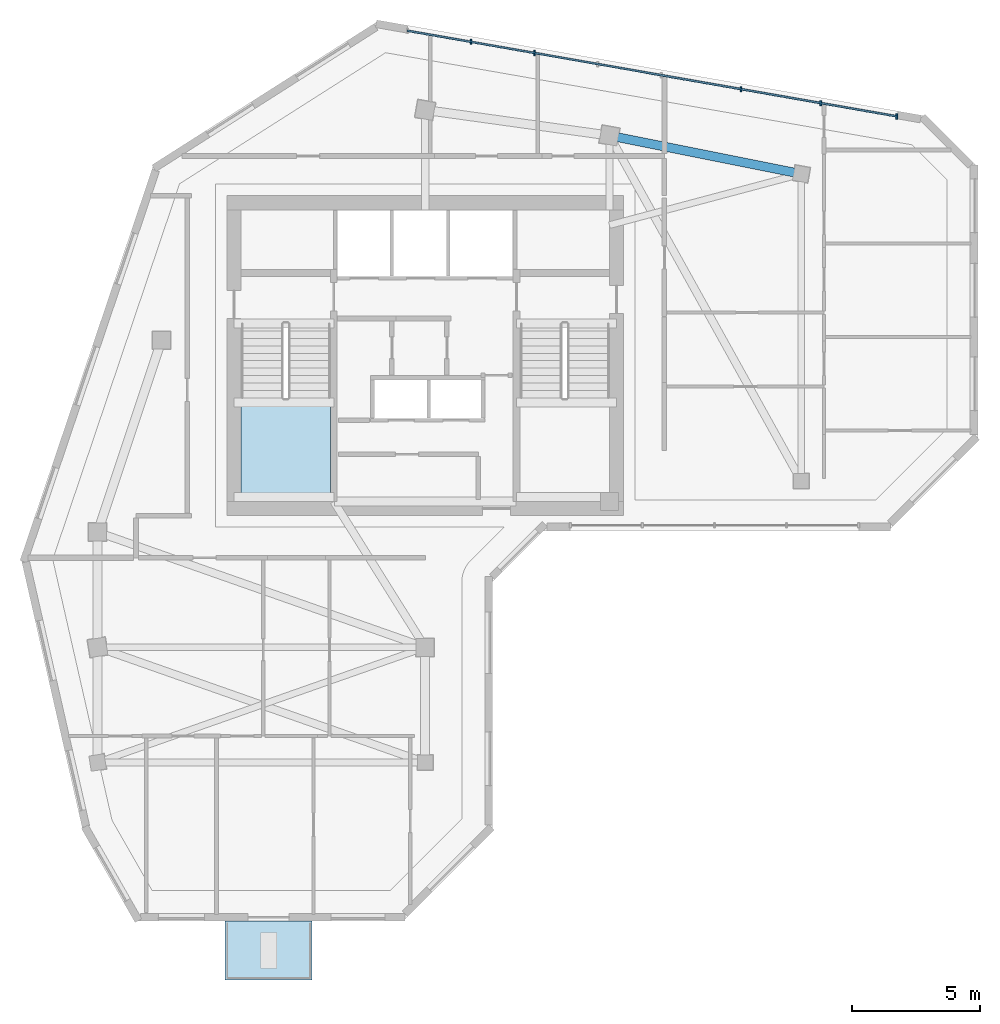
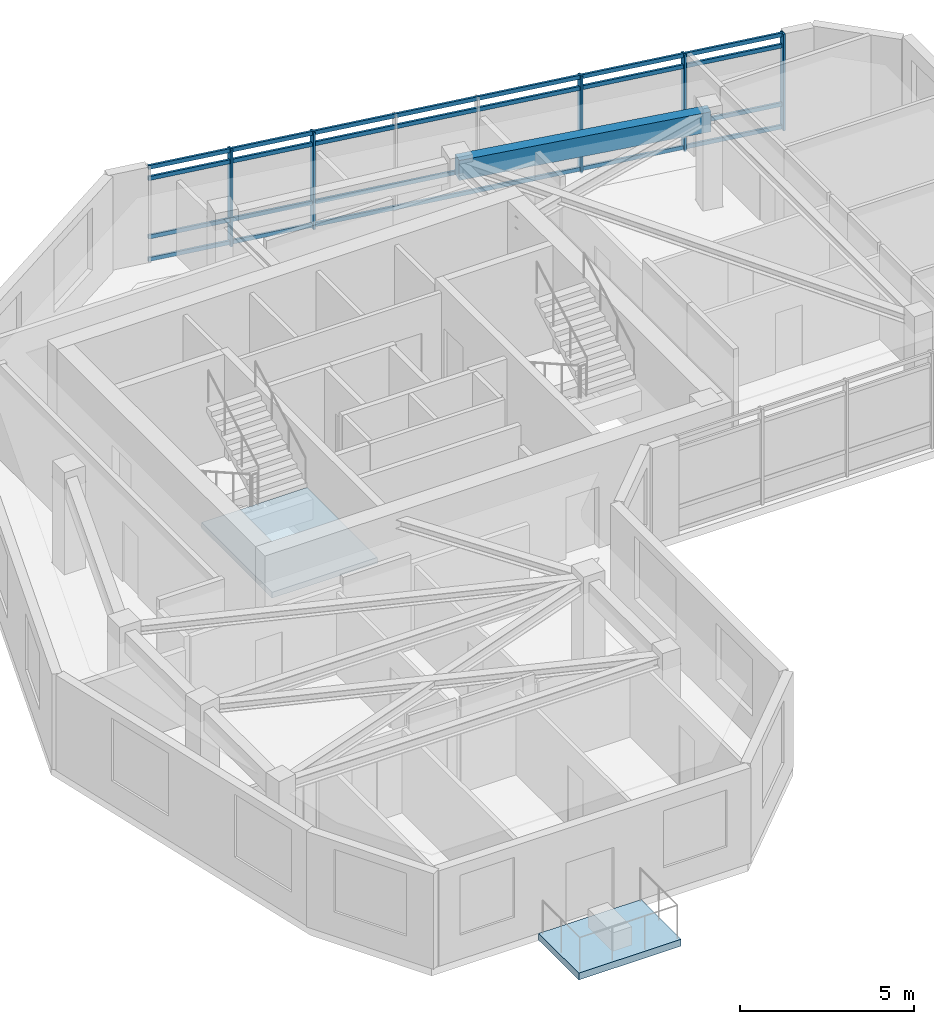
# One storey, part 2 of 10: 9 members, 2 slabs, 1 beam, 2 elements without a shape of their own.
"""IFC4 building model written with IfcOpenShell, lengths in metres."""

from ifc_helpers import new_model, si_unit, direction, frame, origin, origin_2d, place, context, subcontext, project, spatial, polyline, rectangle, outline, extrude, source, transform, mapped, material, layer, layer_set, material_profile, profile_set, type_object, element, aggregate, save


model = new_model("IFC4")

# Units and contexts
model_context = context("Model", 3, precision=1e-05, world=origin(), true_north=direction((0.0, 1.0)))
body_context = subcontext(model_context, "Body", "Model", "MODEL_VIEW")
ifc_project = project(units=[si_unit("LENGTHUNIT", "METRE"), si_unit("AREAUNIT", "SQUARE_METRE"), si_unit("VOLUMEUNIT", "CUBIC_METRE"), si_unit("PLANEANGLEUNIT", "RADIAN"), si_unit("MASSUNIT", "GRAM", prefix="KILO")], contexts=[model_context])

# Site, building, storey
site_placement = place(None, origin())
site = spatial("IfcSite", under=ifc_project, at=site_placement, CompositionType="ELEMENT")
building_placement = place(site_placement, origin())
building = spatial("IfcBuilding", under=site, at=building_placement, Name="Calvemar Wedge Station Tower", CompositionType="ELEMENT")
storey_placement = place(building_placement, frame((0.0, 0.0, 256.5)))
storey = spatial("IfcBuildingStorey", under=building, at=storey_placement, Name="L65", CompositionType="ELEMENT", Elevation=256.5)

# Beam
ifc_material_1 = material(Name="Concrete C50", Category="concrete")
ifc_material_profile_1 = material_profile(ifc_material_1, rectangle(XDim=0.35009765625, YDim=0.699951171875, at=origin_2d()), Name="RC350x700")
ifc_profile_set_1 = profile_set([ifc_material_profile_1], Name="Concrete C50")
beam_type = type_object("IfcBeamType", Name="BM-SP2-700", PredefinedType="SPANDREL", material=ifc_profile_set_1)
shared_shape_1 = source(origin(), body_context, "Body", "SweptSolid", [
    extrude(rectangle(XDim=0.35009765625, YDim=0.699951171875, at=origin_2d()), origin(), (0.0, 0.0, 1.0), 7.6484375),
])
beam_placement = place(storey_placement, frame((31.0, 48.5, 3.0), z_axis=(0.980580675691, -0.196116135138, 0.0), x_axis=(0.196116135138, 0.980580675691, 0.0)))
element("IfcBeam", 1, at=beam_placement, inside=storey, type_object=beam_type, Name="Storey L65 Spandrel T-N2-T-NU3", PredefinedType="SPANDREL", context=body_context, shape_type="MappedRepresentation", body=[
    mapped(shared_shape_1, transform((0.0, 0.0, 0.0), scale=1.0)),
])

# Curtain wall, members
ifc_material_2 = material(Name="Anodised aluminium 6063-T6", Category="aluminium")
curtain_wall_type = type_object("IfcCurtainWallType", Name="CW4", PredefinedType="NOTDEFINED", material=ifc_material_2)
curtain_wall_placement = place(storey_placement, origin())
curtain_wall = element("IfcCurtainWall", 2, at=curtain_wall_placement, inside=storey, type_object=curtain_wall_type, Name="Storey L65 CW4 Recessed Unitised Curtain Wall 10", PredefinedType="NOTDEFINED")
ifc_material_profile_2 = material_profile(ifc_material_2, rectangle(XDim=0.070068359375, YDim=0.139892578125, at=origin_2d()), Name="AL-TRN-70x140")
ifc_profile_set_2 = profile_set([ifc_material_profile_2], Name="Anodised aluminium 6063-T6")
member_type_1 = type_object("IfcMemberType", Name="CW4-TRN", PredefinedType="USERDEFINED", material=ifc_profile_set_2)
shared_shape_2 = source(origin(), body_context, "Body", "SweptSolid", [
    extrude(rectangle(XDim=0.070068359375, YDim=0.139892578125, at=origin_2d()), origin(), (0.0, 0.0, 1.0), 19.41943359375),
])
member_1_placement = place(storey_placement, frame((42.233642578125, 49.246826171875, 0.06005859375), z_axis=(-0.985038151159, 0.172336417399, 0.0), x_axis=(-0.172336417399, -0.985038151159, 0.0)))
member_1 = element("IfcMember", 3, at=member_1_placement, type_object=member_type_1, Name="CW4 transom 1", ObjectType="TRANSOM", PredefinedType="USERDEFINED", context=body_context, shape_type="MappedRepresentation", body=[
    mapped(shared_shape_2, transform((0.0, 0.0, 0.0), scale=1.0)),
])
member_2_placement = place(storey_placement, frame((42.233642578125, 49.246826171875, 0.85009765625), z_axis=(-0.985038151159, 0.172336417399, 0.0), x_axis=(-0.172336417399, -0.985038151159, 0.0)))
member_2 = element("IfcMember", 4, at=member_2_placement, type_object=member_type_1, Name="CW4 transom 2", ObjectType="TRANSOM", PredefinedType="USERDEFINED", context=body_context, shape_type="MappedRepresentation", body=[
    mapped(shared_shape_2, transform((0.0, 0.0, 0.0), scale=1.0)),
])
member_3_placement = place(storey_placement, frame((42.233642578125, 49.246826171875, 2.89990234375), z_axis=(-0.985038151159, 0.172336417399, 0.0), x_axis=(-0.172336417399, -0.985038151159, 0.0)))
member_3 = element("IfcMember", 5, at=member_3_placement, type_object=member_type_1, Name="CW4 transom 3", ObjectType="TRANSOM", PredefinedType="USERDEFINED", context=body_context, shape_type="MappedRepresentation", body=[
    mapped(shared_shape_2, transform((0.0, 0.0, 0.0), scale=1.0)),
])
member_4_placement = place(storey_placement, frame((42.233642578125, 49.246826171875, 3.2900390625), z_axis=(-0.985038151159, 0.172336417399, 0.0), x_axis=(-0.172336417399, -0.985038151159, 0.0)))
member_4 = element("IfcMember", 6, at=member_4_placement, type_object=member_type_1, Name="CW4 transom 4", ObjectType="TRANSOM", PredefinedType="USERDEFINED", context=body_context, shape_type="MappedRepresentation", body=[
    mapped(shared_shape_2, transform((0.0, 0.0, 0.0), scale=1.0)),
])
ifc_material_profile_3 = material_profile(ifc_material_2, rectangle(XDim=0.070068359375, YDim=0.199951171875, at=origin_2d()), Name="AL-MUL-70x200")
ifc_profile_set_3 = profile_set([ifc_material_profile_3], Name="Anodised aluminium 6063-T6")
member_type_2 = type_object("IfcMemberType", Name="CW4-MUL", PredefinedType="MULLION", material=ifc_profile_set_3)
shared_shape_3 = source(origin(), body_context, "Body", "SweptSolid", [
    extrude(rectangle(XDim=0.070068359375, YDim=0.199951171875, at=origin_2d()), origin(), (0.0, 0.0, 1.0), 3.400146484375),
])
member_5_placement = place(storey_placement, frame((42.233642578125, 49.246826171875, -0.050048828125), z_axis=(0.0, 0.0, 1.0), x_axis=(1.0, 0.0, 0.0)))
member_5 = element("IfcMember", 7, at=member_5_placement, type_object=member_type_2, Name="CW4 mullion 1", PredefinedType="MULLION", context=body_context, shape_type="MappedRepresentation", body=[
    mapped(shared_shape_3, transform((0.0, 0.0, 0.0), scale=1.0)),
])
member_6_placement = place(storey_placement, frame((39.253662109375, 49.768310546875, -0.050048828125), z_axis=(0.0, 0.0, 1.0), x_axis=(1.0, 0.0, 0.0)))
member_6 = element("IfcMember", 8, at=member_6_placement, type_object=member_type_2, Name="CW4 mullion 2", PredefinedType="MULLION", context=body_context, shape_type="MappedRepresentation", body=[
    mapped(shared_shape_3, transform((0.0, 0.0, 0.0), scale=1.0)),
])
member_7_placement = place(storey_placement, frame((36.1376953125, 50.3134765625, -0.050048828125), z_axis=(0.0, 0.0, 1.0), x_axis=(1.0, 0.0, 0.0)))
member_7 = element("IfcMember", 9, at=member_7_placement, type_object=member_type_2, Name="CW4 mullion 3", PredefinedType="MULLION", context=body_context, shape_type="MappedRepresentation", body=[
    mapped(shared_shape_3, transform((0.0, 0.0, 0.0), scale=1.0)),
])
member_8_placement = place(storey_placement, frame((28.071533203125, 51.724609375, -0.050048828125), z_axis=(0.0, 0.0, 1.0), x_axis=(1.0, 0.0, 0.0)))
member_8 = element("IfcMember", 10, at=member_8_placement, type_object=member_type_2, Name="CW4 mullion 6", PredefinedType="MULLION", context=body_context, shape_type="MappedRepresentation", body=[
    mapped(shared_shape_3, transform((0.0, 0.0, 0.0), scale=1.0)),
])
member_9_placement = place(storey_placement, frame((25.588134765625, 52.158935546875, -0.050048828125), z_axis=(0.0, 0.0, 1.0), x_axis=(1.0, 0.0, 0.0)))
member_9 = element("IfcMember", 11, at=member_9_placement, type_object=member_type_2, Name="CW4 mullion 7", PredefinedType="MULLION", context=body_context, shape_type="MappedRepresentation", body=[
    mapped(shared_shape_3, transform((0.0, 0.0, 0.0), scale=1.0)),
])
aggregate(curtain_wall, [member_5, member_6, member_7, member_8, member_9, member_1, member_2, member_3, member_4])

# Stair, slab
ifc_material_3 = material(Name="Concrete C45", Category="concrete")
stair_type = type_object("IfcStairType", Name="ST-TYPE-3600", PredefinedType="HALF_TURN_STAIR", material=ifc_material_3)
stair_placement = place(storey_placement, origin())
stair = element("IfcStair", 12, at=stair_placement, inside=storey, type_object=stair_type, Name="L65 Pressurized Core Exit Stair ST-C1", PredefinedType="HALF_TURN_STAIR")
ifc_layer_1 = layer(ifc_material_3, 0.199951171875)
ifc_layer_set_1 = layer_set([ifc_layer_1], Name="Concrete C45")
slab_type_1 = type_object("IfcSlabType", Name="SL-STAIR-LND-200", PredefinedType="LANDING", material=ifc_layer_set_1)
slab_1_placement = place(storey_placement, frame((0.0, 0.0, 1.60009765625)))
slab_1 = element("IfcSlab", 13, at=slab_1_placement, type_object=slab_type_1, Name="ST-C1 landing 1", PredefinedType="LANDING", context=body_context, shape_type="SweptSolid", body=[
    extrude(outline(polyline([(16.60009765625, 38.25), (16.60009765625, 34.199951171875), (20.10009765625, 34.199951171875), (20.10009765625, 38.25), (16.60009765625, 38.25)])), origin(), (0.0, 0.0, 1.0), 0.199951171875),
])
aggregate(stair, [slab_1])

# Slab
ifc_layer_2 = layer(ifc_material_3, 0.239990234375)
ifc_layer_set_2 = layer_set([ifc_layer_2], Name="Concrete C45")
slab_type_2 = type_object("IfcSlabType", Name="SL-TERR-240", PredefinedType="FLOOR", material=ifc_layer_set_2)
slab_2_placement = place(storey_placement, frame((0.0, 0.0, -0.239990234375)))
element("IfcSlab", 14, at=slab_2_placement, inside=storey, type_object=slab_type_2, Name="Storey L65 Planted Spiral Terrace Slab", PredefinedType="FLOOR", context=body_context, shape_type="SweptSolid", body=[
    extrude(outline(polyline([(15.98193359375, 17.800048828125), (15.98193359375, 15.5), (19.382080078125, 15.5), (19.382080078125, 17.800048828125), (15.98193359375, 17.800048828125)])), origin(), (0.0, 0.0, 1.0), 0.239990234375),
])

save(model, "model.ifc")
